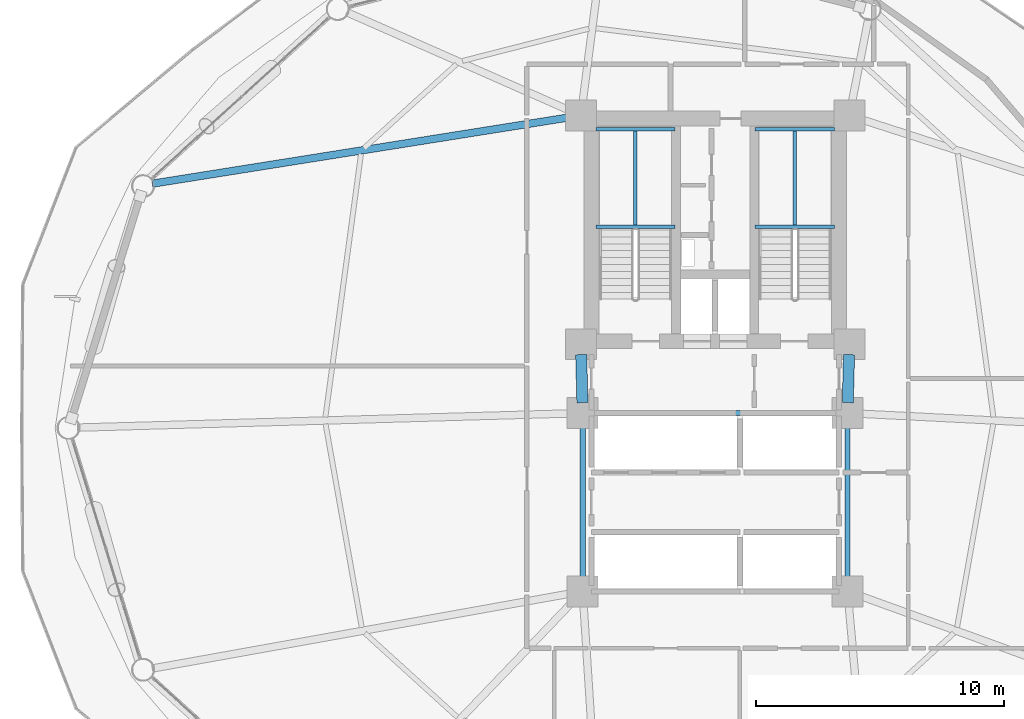
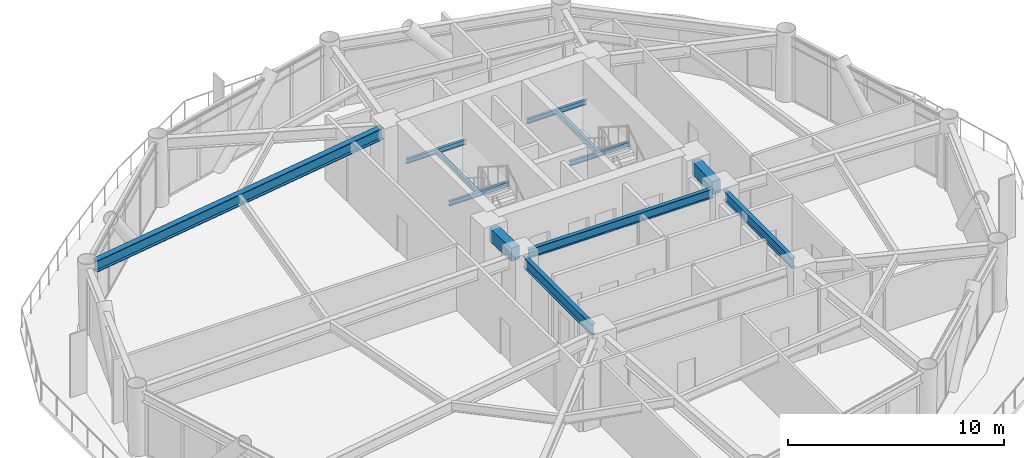
# One storey, part 10 of 22: 12 beams.
"""IFC4 building model written with IfcOpenShell, lengths in metres."""

from ifc_helpers import new_model, si_unit, direction, frame, origin, origin_2d, place, context, subcontext, project, spatial, rectangle, i_section, extrude, material, material_profile, profile_set, type_object, element, save


model = new_model("IFC4")

# Units and contexts
model_context = context("Model", 3, precision=1e-05, world=origin(), true_north=direction((0.0, 1.0)))
body_context = subcontext(model_context, "Body", "Model", "MODEL_VIEW")
ifc_project = project(units=[si_unit("LENGTHUNIT", "METRE"), si_unit("AREAUNIT", "SQUARE_METRE"), si_unit("VOLUMEUNIT", "CUBIC_METRE"), si_unit("PLANEANGLEUNIT", "RADIAN"), si_unit("MASSUNIT", "GRAM", prefix="KILO")], contexts=[model_context])

# Site, building, storey
site_placement = place(None, origin())
site = spatial("IfcSite", under=ifc_project, at=site_placement, CompositionType="ELEMENT")
building_placement = place(site_placement, origin())
building = spatial("IfcBuilding", under=site, at=building_placement, Name="Varnakorn Sky Granary", CompositionType="ELEMENT")
storey_placement = place(building_placement, frame((0.0, 0.0, 66.60009765625)))
storey = spatial("IfcBuildingStorey", under=building, at=storey_placement, Name="L16", CompositionType="ELEMENT", Elevation=66.60009765625)

# Beams
ifc_material_1 = material(Name="Steel S355JR", Category="steel")
ifc_material_profile_1 = material_profile(ifc_material_1, i_section(OverallWidth=0.2099609375, OverallDepth=0.550048828125, WebThickness=0.010986328125, FlangeThickness=0.01708984375, at=origin_2d()), Name="IPE 550")
ifc_profile_set_1 = profile_set([ifc_material_profile_1], Name="Steel S355JR")
beam_type_1 = type_object("IfcBeamType", Name="BM-JST-550", PredefinedType="JOIST", material=ifc_profile_set_1)
beam_1_placement = place(storey_placement, frame((8.35009765625, 0.179931640625, 3.364990234375), z_axis=(0.0, -1.0, 0.0), x_axis=(1.0, 0.0, 0.0)))
element("IfcBeam", 1, at=beam_1_placement, inside=storey, type_object=beam_type_1, Name="Core Spine Framing Beam 4 L16", PredefinedType="JOIST", context=body_context, shape_type="SweptSolid", body=[
    extrude(i_section(OverallWidth=0.2099609375, OverallDepth=0.550048828125, WebThickness=0.010986328125, FlangeThickness=0.01708984375, at=origin_2d()), origin(), (0.0, 0.0, 1.0), 6.35986328125),
])
ifc_material_profile_2 = material_profile(ifc_material_1, i_section(OverallWidth=0.219970703125, OverallDepth=0.60009765625, WebThickness=0.011962890625, FlangeThickness=0.01904296875, at=origin_2d()), Name="IPE 600")
ifc_profile_set_2 = profile_set([ifc_material_profile_2], Name="Steel S355JR")
beam_type_2 = type_object("IfcBeamType", Name="BM-JST-600", PredefinedType="JOIST", material=ifc_profile_set_2)
beam_2_placement = place(storey_placement, frame((-2.35009765625, 0.179931640625, 3.33984375), z_axis=(0.0, -1.0, 0.0), x_axis=(1.0, 0.0, 0.0)))
element("IfcBeam", 2, at=beam_2_placement, inside=storey, type_object=beam_type_2, Name="Core Spine Framing Beam 3 L16", PredefinedType="JOIST", context=body_context, shape_type="SweptSolid", body=[
    extrude(i_section(OverallWidth=0.219970703125, OverallDepth=0.60009765625, WebThickness=0.011962890625, FlangeThickness=0.01904296875, at=origin_2d()), origin(), (0.0, 0.0, 1.0), 6.35986328125),
])
ifc_material_2 = material(Name="Concrete C60/75", Category="concrete")
ifc_material_profile_3 = material_profile(ifc_material_2, rectangle(XDim=0.449951171875, YDim=0.75, at=origin_2d()), Name="RC 450x750")
ifc_profile_set_3 = profile_set([ifc_material_profile_3], Name="Concrete C60/75")
beam_type_3 = type_object("IfcBeamType", Name="BM-LIN-750", PredefinedType="LINTEL", material=ifc_profile_set_3)
for number, where, z_axis, x_axis, name in (
    (3, (-2.409423828125, 2.960205078125, 3.264892578125), (0.025158763514, -0.999683468213, 0.0), (0.999683468213, 0.025158763514, 0.0), "Core Spine Framing Beam 1 L16"),
    (4, (8.409423828125, 2.960205078125, 3.264892578125), (-0.025158763514, -0.999683468213, 0.0), (0.999683468213, -0.025158763514, 0.0), "Core Spine Framing Beam 2 L16"),
):
    element("IfcBeam", number, at=place(storey_placement, frame(where, z_axis=z_axis, x_axis=x_axis)), inside=storey, type_object=beam_type_3, Name=name, PredefinedType="LINTEL", context=body_context, shape_type="SweptSolid", body=[
        extrude(rectangle(XDim=0.449951171875, YDim=0.75, at=origin_2d()), origin(), (0.0, 0.0, 1.0), 1.94091796875),
    ])
ifc_material_profile_4 = material_profile(ifc_material_1, i_section(OverallWidth=0.135009765625, OverallDepth=0.27001953125, WebThickness=0.006591796875, FlangeThickness=0.01025390625, at=origin_2d()), Name="IPE 270")
ifc_profile_set_4 = profile_set([ifc_material_profile_4], Name="Steel S355JR")
beam_type_4 = type_object("IfcBeamType", Name="BM-LND-270", PredefinedType="BEAM", material=ifc_profile_set_4)
for number, where, z_axis, x_axis, name in (
    (5, (-1.820068359375, 8.1201171875, 1.614990234375), (1.0, 0.0, 0.0), (0.0, 1.0, 0.0), "Stair ST-1 Landing Trimmer Beam A L16-1"),
    (6, (-1.820068359375, 12.06005859375, 1.614990234375), (1.0, 0.0, 0.0), (0.0, 1.0, 0.0), "Stair ST-1 Landing Trimmer Beam B L16-1"),
):
    element("IfcBeam", number, at=place(storey_placement, frame(where, z_axis=z_axis, x_axis=x_axis)), inside=storey, type_object=beam_type_4, Name=name, PredefinedType="BEAM", context=body_context, shape_type="SweptSolid", body=[
        extrude(i_section(OverallWidth=0.135009765625, OverallDepth=0.27001953125, WebThickness=0.006591796875, FlangeThickness=0.01025390625, at=origin_2d()), origin(), (0.0, 0.0, 1.0), 3.199951171875),
    ])
beam_3_placement = place(storey_placement, frame((-0.219970703125, 8.1201171875, 1.614990234375), z_axis=(0.0, 1.0, 0.0), x_axis=(-1.0, 0.0, 0.0)))
element("IfcBeam", 7, at=beam_3_placement, inside=storey, type_object=beam_type_4, Name="Stair ST-1 Landing Cross Beam C L16-1", PredefinedType="BEAM", context=body_context, shape_type="SweptSolid", body=[
    extrude(i_section(OverallWidth=0.135009765625, OverallDepth=0.27001953125, WebThickness=0.006591796875, FlangeThickness=0.01025390625, at=origin_2d()), origin(), (0.0, 0.0, 1.0), 3.93994140625),
])
for number, where, z_axis, x_axis, name in (
    (8, (4.6201171875, 8.1201171875, 1.614990234375), (1.0, 0.0, 0.0), (0.0, 1.0, 0.0), "Stair ST-2 Landing Trimmer Beam A L16-1"),
    (9, (4.6201171875, 12.06005859375, 1.614990234375), (1.0, 0.0, 0.0), (0.0, 1.0, 0.0), "Stair ST-2 Landing Trimmer Beam B L16-1"),
):
    element("IfcBeam", number, at=place(storey_placement, frame(where, z_axis=z_axis, x_axis=x_axis)), inside=storey, type_object=beam_type_4, Name=name, PredefinedType="BEAM", context=body_context, shape_type="SweptSolid", body=[
        extrude(i_section(OverallWidth=0.135009765625, OverallDepth=0.27001953125, WebThickness=0.006591796875, FlangeThickness=0.01025390625, at=origin_2d()), origin(), (0.0, 0.0, 1.0), 3.199951171875),
    ])
beam_4_placement = place(storey_placement, frame((6.219970703125, 8.1201171875, 1.614990234375), z_axis=(0.0, 1.0, 0.0), x_axis=(-1.0, 0.0, 0.0)))
element("IfcBeam", 10, at=beam_4_placement, inside=storey, type_object=beam_type_4, Name="Stair ST-2 Landing Cross Beam C L16-1", PredefinedType="BEAM", context=body_context, shape_type="SweptSolid", body=[
    extrude(i_section(OverallWidth=0.135009765625, OverallDepth=0.27001953125, WebThickness=0.006591796875, FlangeThickness=0.01025390625, at=origin_2d()), origin(), (0.0, 0.0, 1.0), 3.93994140625),
])
ifc_material_profile_5 = material_profile(ifc_material_1, i_section(OverallWidth=0.300048828125, OverallDepth=0.64990234375, WebThickness=0.01611328125, FlangeThickness=0.031005859375, at=origin_2d()), Name="HE 650 B")
ifc_profile_set_5 = profile_set([ifc_material_profile_5], Name="Steel S355JR")
beam_type_5 = type_object("IfcBeamType", Name="BM-RAD-Z1", PredefinedType="BEAM", material=ifc_profile_set_5)
beam_5_placement = place(storey_placement, frame((-2.834716796875, 12.553955078125, 3.31494140625), z_axis=(-0.987589763439, -0.157055592545, 0.0), x_axis=(0.157055592545, -0.987589763439, 0.0)))
element("IfcBeam", 11, at=beam_5_placement, inside=storey, type_object=beam_type_5, Name="Radial Floor Girder RG06 L16", PredefinedType="BEAM", context=body_context, shape_type="SweptSolid", body=[
    extrude(i_section(OverallWidth=0.300048828125, OverallDepth=0.64990234375, WebThickness=0.01611328125, FlangeThickness=0.031005859375, at=origin_2d()), origin(), (0.0, 0.0, 1.0), 17.11181640625),
])
ifc_material_profile_6 = material_profile(ifc_material_1, i_section(OverallWidth=0.199951171875, OverallDepth=0.5, WebThickness=0.01025390625, FlangeThickness=0.01611328125, at=origin_2d()), Name="IPE 500")
ifc_profile_set_6 = profile_set([ifc_material_profile_6], Name="Steel S355JR")
beam_type_6 = type_object("IfcBeamType", Name="BM-SEC-Z1", PredefinedType="BEAM", material=ifc_profile_set_6)
beam_6_placement = place(storey_placement, frame((-1.929931640625, 0.60009765625, 3.389892578125), z_axis=(1.0, 0.0, 0.0), x_axis=(0.0, 1.0, 0.0)))
element("IfcBeam", 12, at=beam_6_placement, inside=storey, type_object=beam_type_6, Name="Core Spine Framing Beam 5 L16", PredefinedType="BEAM", context=body_context, shape_type="SweptSolid", body=[
    extrude(i_section(OverallWidth=0.199951171875, OverallDepth=0.5, WebThickness=0.01025390625, FlangeThickness=0.01611328125, at=origin_2d()), origin(), (0.0, 0.0, 1.0), 9.85986328125),
])

save(model, "model.ifc")
